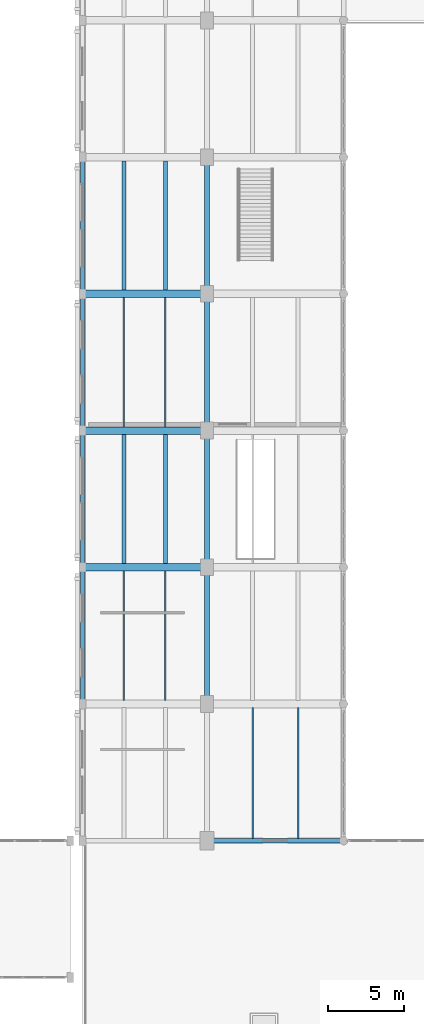
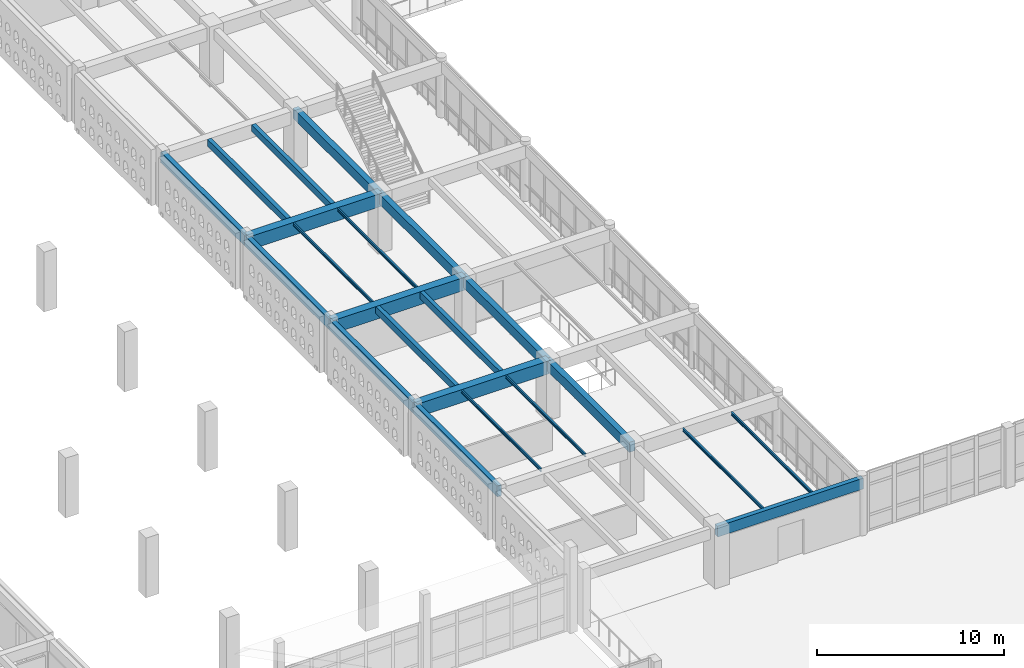
# One storey, part 22 of 156: 22 beams.
"""IFC4 building model written with IfcOpenShell, lengths in metres."""

from ifc_helpers import new_model, si_unit, direction, frame, origin, origin_2d, place, context, subcontext, project, spatial, rectangle, i_section, extrude, material, material_profile, profile_set, type_object, element, save


model = new_model("IFC4")

# Units and contexts
model_context = context("Model", 3, precision=1e-05, world=origin(), true_north=direction((0.0, 1.0)))
body_context = subcontext(model_context, "Body", "Model", "MODEL_VIEW")
ifc_project = project(units=[si_unit("LENGTHUNIT", "METRE"), si_unit("AREAUNIT", "SQUARE_METRE"), si_unit("VOLUMEUNIT", "CUBIC_METRE"), si_unit("PLANEANGLEUNIT", "RADIAN"), si_unit("MASSUNIT", "GRAM", prefix="KILO")], contexts=[model_context])

# Site, building, storey
site_placement = place(None, origin())
site = spatial("IfcSite", under=ifc_project, at=site_placement, CompositionType="ELEMENT")
building_placement = place(site_placement, origin())
building = spatial("IfcBuilding", under=site, at=building_placement, Name="Ornek Quay Market", CompositionType="ELEMENT")
storey_placement = place(building_placement, frame((0.0, 0.0, 4.5)))
storey = spatial("IfcBuildingStorey", under=building, at=storey_placement, Name="L01", CompositionType="ELEMENT", Elevation=4.5)

# Beams
ifc_material_1 = material(Name="Concrete C35/45", Category="concrete")
ifc_material_profile_1 = material_profile(ifc_material_1, rectangle(XDim=0.35009765625, YDim=0.64990234375, at=origin_2d()), Name="RC 350x650", Category="concrete")
ifc_profile_set_1 = profile_set([ifc_material_profile_1], Name="Concrete C35/45")
beam_type_1 = type_object("IfcBeamType", Name="BM-CONC-350x650", PredefinedType="BEAM", material=ifc_profile_set_1)
for number, where, z_axis, x_axis, name in (
    (1, (63.0, 38.0, 3.3349609375), (0.0, 1.0, 0.0), (-1.0, 0.0, 0.0), "Primary beam B-CN1-114"),
    (2, (63.0, 47.0, 3.3349609375), (0.0, 1.0, 0.0), (-1.0, 0.0, 0.0), "Primary beam B-CN1-115"),
    (3, (63.0, 56.0, 3.3349609375), (0.0, 1.0, 0.0), (-1.0, 0.0, 0.0), "Primary beam B-CN1-116"),
    (4, (63.0, 65.0, 3.3349609375), (0.0, 1.0, 0.0), (-1.0, 0.0, 0.0), "Primary beam B-CN1-117"),
):
    element("IfcBeam", number, at=place(storey_placement, frame(where, z_axis=z_axis, x_axis=x_axis)), inside=storey, type_object=beam_type_1, Name=name, PredefinedType="BEAM", context=body_context, shape_type="SweptSolid", body=[
        extrude(rectangle(XDim=0.35009765625, YDim=0.64990234375, at=origin_2d()), origin(), (0.0, 0.0, 1.0), 9.0),
    ])
ifc_material_2 = material(Name="Concrete C40/50", Category="concrete")
ifc_material_profile_2 = material_profile(ifc_material_2, rectangle(XDim=0.5, YDim=0.85009765625, at=origin_2d()), Name="RC 500x850", Category="concrete")
ifc_profile_set_2 = profile_set([ifc_material_profile_2], Name="Concrete C40/50")
beam_type_2 = type_object("IfcBeamType", Name="BM-GAL-500x850", PredefinedType="BEAM", material=ifc_profile_set_2)
for number, where, z_axis, x_axis, name in (
    (5, (54.800048828125, 47.0, 3.235107421875), (1.0, 0.0, 0.0), (0.0, 1.0, 0.0), "Primary beam B-GL1-067"),
    (6, (54.800048828125, 56.0, 3.235107421875), (1.0, 0.0, 0.0), (0.0, 1.0, 0.0), "Primary beam B-GL1-069"),
    (7, (54.800048828125, 65.0, 3.235107421875), (1.0, 0.0, 0.0), (0.0, 1.0, 0.0), "Primary beam B-GL1-071"),
):
    element("IfcBeam", number, at=place(storey_placement, frame(where, z_axis=z_axis, x_axis=x_axis)), inside=storey, type_object=beam_type_2, Name=name, PredefinedType="BEAM", context=body_context, shape_type="SweptSolid", body=[
        extrude(rectangle(XDim=0.5, YDim=0.85009765625, at=origin_2d()), origin(), (0.0, 0.0, 1.0), 8.199951171875),
    ])
ifc_material_profile_3 = material_profile(ifc_material_1, rectangle(XDim=0.25, YDim=0.449951171875, at=origin_2d()), Name="RC 250x450", Category="concrete")
ifc_profile_set_3 = profile_set([ifc_material_profile_3], Name="Concrete C35/45")
beam_type_3 = type_object("IfcBeamType", Name="BM-SEC-250x450", PredefinedType="JOIST", material=ifc_profile_set_3)
for number, where, z_axis, x_axis, name in (
    (8, (57.533203125, 47.241943359375, 3.43505859375), (0.0, 1.0, 0.0), (-1.0, 0.0, 0.0), "Secondary joist B-SC3-011"),
    (9, (60.2666015625, 47.241943359375, 3.43505859375), (0.0, 1.0, 0.0), (-1.0, 0.0, 0.0), "Secondary joist B-SC3-012"),
    (10, (57.533203125, 65.241943359375, 3.43505859375), (0.0, 1.0, 0.0), (-1.0, 0.0, 0.0), "Secondary joist B-SC3-013"),
    (11, (60.2666015625, 65.241943359375, 3.43505859375), (0.0, 1.0, 0.0), (-1.0, 0.0, 0.0), "Secondary joist B-SC3-014"),
):
    element("IfcBeam", number, at=place(storey_placement, frame(where, z_axis=z_axis, x_axis=x_axis)), inside=storey, type_object=beam_type_3, Name=name, PredefinedType="JOIST", context=body_context, shape_type="SweptSolid", body=[
        extrude(rectangle(XDim=0.25, YDim=0.449951171875, at=origin_2d()), origin(), (0.0, 0.0, 1.0), 8.51611328125),
    ])
ifc_material_profile_4 = material_profile(ifc_material_1, rectangle(XDim=0.280029296875, YDim=0.699951171875, at=origin_2d()), Name="RC 280x700", Category="concrete")
ifc_profile_set_4 = profile_set([ifc_material_profile_4], Name="Concrete C35/45")
beam_type_4 = type_object("IfcBeamType", Name="BM-SPN-280x700", PredefinedType="SPANDREL", material=ifc_profile_set_4)
for number, where, z_axis, x_axis, name in (
    (12, (63.0, 29.0, 3.31005859375), (1.0, 0.0, 0.0), (0.0, 1.0, 0.0), "Primary beam B-SP2-050"),
    (13, (54.800048828125, 38.0, 3.31005859375), (0.0, 1.0, 0.0), (-1.0, 0.0, 0.0), "Primary beam B-SP2-054"),
    (14, (54.800048828125, 47.0, 3.31005859375), (0.0, 1.0, 0.0), (-1.0, 0.0, 0.0), "Primary beam B-SP2-055"),
    (15, (54.800048828125, 56.0, 3.31005859375), (0.0, 1.0, 0.0), (-1.0, 0.0, 0.0), "Primary beam B-SP2-056"),
    (16, (54.800048828125, 65.0, 3.31005859375), (0.0, 1.0, 0.0), (-1.0, 0.0, 0.0), "Primary beam B-SP2-057"),
):
    element("IfcBeam", number, at=place(storey_placement, frame(where, z_axis=z_axis, x_axis=x_axis)), inside=storey, type_object=beam_type_4, Name=name, PredefinedType="SPANDREL", context=body_context, shape_type="SweptSolid", body=[
        extrude(rectangle(XDim=0.280029296875, YDim=0.699951171875, at=origin_2d()), origin(), (0.0, 0.0, 1.0), 9.0),
    ])
ifc_material_3 = material(Name="Steel S355", Category="steel")
ifc_material_profile_5 = material_profile(ifc_material_3, i_section(OverallWidth=0.10009765625, OverallDepth=0.199951171875, WebThickness=0.005615234375, FlangeThickness=0.008544921875, FilletRadius=0.011962890625, at=origin_2d()), Name="IPE 200", Category="steel")
ifc_profile_set_5 = profile_set([ifc_material_profile_5], Name="Steel S355")
beam_type_5 = type_object("IfcBeamType", Name="BM-STL-IPE200", PredefinedType="JOIST", material=ifc_profile_set_5)
for number, where, z_axis, x_axis, name in (
    (17, (57.533203125, 38.241943359375, 3.56005859375), (0.0, 1.0, 0.0), (-1.0, 0.0, 0.0), "Secondary joist SB-02-015"),
    (18, (60.2666015625, 38.241943359375, 3.56005859375), (0.0, 1.0, 0.0), (-1.0, 0.0, 0.0), "Secondary joist SB-02-016"),
    (19, (57.533203125, 56.241943359375, 3.56005859375), (0.0, 1.0, 0.0), (-1.0, 0.0, 0.0), "Secondary joist SB-02-017"),
    (20, (60.2666015625, 56.241943359375, 3.56005859375), (0.0, 1.0, 0.0), (-1.0, 0.0, 0.0), "Secondary joist SB-02-018"),
):
    element("IfcBeam", number, at=place(storey_placement, frame(where, z_axis=z_axis, x_axis=x_axis)), inside=storey, type_object=beam_type_5, Name=name, PredefinedType="JOIST", context=body_context, shape_type="SweptSolid", body=[
        extrude(i_section(OverallWidth=0.10009765625, OverallDepth=0.199951171875, WebThickness=0.005615234375, FlangeThickness=0.008544921875, FilletRadius=0.011962890625, at=origin_2d()), origin(), (0.0, 0.0, 1.0), 8.51611328125),
    ])
for number, where, z_axis, x_axis, name in (
    (21, (66.0, 29.132080078125, 3.56005859375), (0.0, 1.0, 0.0), (-1.0, 0.0, 0.0), "Secondary joist SB-02-021"),
    (22, (69.0, 29.132080078125, 3.56005859375), (0.0, 1.0, 0.0), (-1.0, 0.0, 0.0), "Secondary joist SB-02-022"),
):
    element("IfcBeam", number, at=place(storey_placement, frame(where, z_axis=z_axis, x_axis=x_axis)), inside=storey, type_object=beam_type_5, Name=name, PredefinedType="JOIST", context=body_context, shape_type="SweptSolid", body=[
        extrude(i_section(OverallWidth=0.10009765625, OverallDepth=0.199951171875, WebThickness=0.005615234375, FlangeThickness=0.008544921875, FilletRadius=0.011962890625, at=origin_2d()), origin(), (0.0, 0.0, 1.0), 8.6259765625),
    ])

save(model, "model.ifc")
